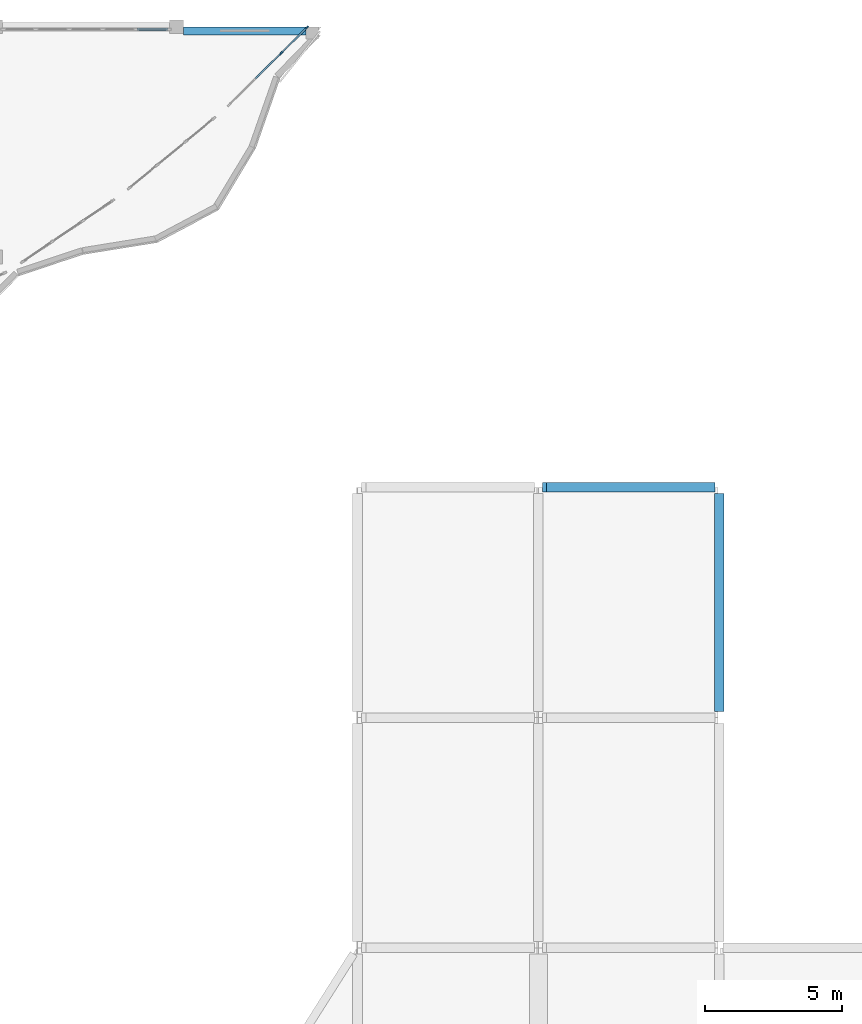
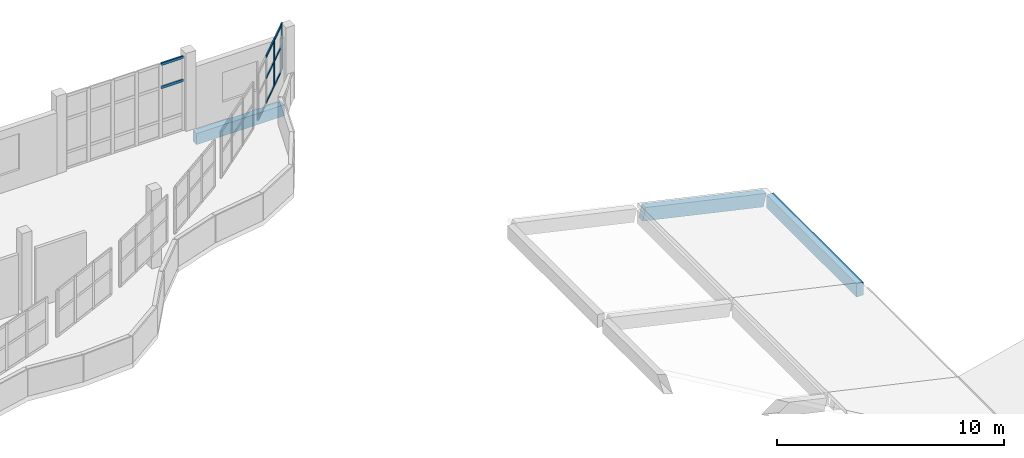
# One storey, part 24 of 47: 10 members, 3 beams, 2 elements without a shape of their own.
"""IFC4 building model written with IfcOpenShell, lengths in metres."""

from ifc_helpers import new_model, si_unit, direction, frame, origin, origin_2d, place, context, subcontext, project, spatial, rectangle, extrude, material, material_profile, profile_set, type_object, element, aggregate, save


model = new_model("IFC4")

# Units and contexts
model_context = context("Model", 3, precision=1e-05, world=origin(), true_north=direction((0.0, 1.0)))
body_context = subcontext(model_context, "Body", "Model", "MODEL_VIEW")
ifc_project = project(units=[si_unit("LENGTHUNIT", "METRE"), si_unit("AREAUNIT", "SQUARE_METRE"), si_unit("VOLUMEUNIT", "CUBIC_METRE"), si_unit("PLANEANGLEUNIT", "RADIAN"), si_unit("MASSUNIT", "GRAM", prefix="KILO")], contexts=[model_context])

# Site, building, storey
site_placement = place(None, origin())
site = spatial("IfcSite", under=ifc_project, at=site_placement, CompositionType="ELEMENT")
building_placement = place(site_placement, origin())
building = spatial("IfcBuilding", under=site, at=building_placement, Name="Qaldarim Faculty of Natural and Applied Sciences", CompositionType="ELEMENT")
storey_placement = place(building_placement, frame((0.0, 0.0, 22.800048828125)))
storey = spatial("IfcBuildingStorey", under=building, at=storey_placement, Name="L05", CompositionType="ELEMENT", Elevation=22.800048828125)

# Curtain wall, members
ifc_material_1 = material(Name="Anodised aluminium AW-6063", Category="aluminium")
curtain_wall_type_1 = type_object("IfcCurtainWallType", Name="CurtainWallSystem-M1400", PredefinedType="USERDEFINED", material=ifc_material_1)
curtain_wall_1_placement = place(storey_placement, origin())
curtain_wall_1 = element("IfcCurtainWall", 1, at=curtain_wall_1_placement, inside=storey, type_object=curtain_wall_type_1, Name="Curtain wall CW-V4ARC-L05-16", ObjectType="STICK CURTAIN WALL", PredefinedType="USERDEFINED")
ifc_material_profile_1 = material_profile(ifc_material_1, rectangle(XDim=0.06005859375, YDim=0.14990234375, at=origin_2d()), Name="ALU-M60x150")
ifc_profile_set_1 = profile_set([ifc_material_profile_1], Name="Anodised aluminium AW-6063")
member_type_1 = type_object("IfcMemberType", Name="Mullion-ALU60x150", PredefinedType="MULLION", material=ifc_profile_set_1)
member_1_placement = place(storey_placement, frame((149.01171875, 116.639892578125, 1.449951171875), z_axis=(0.0, 0.0, 1.0), x_axis=(-0.704014724456, 0.710185375623, 0.0)))
member_1 = element("IfcMember", 2, at=member_1_placement, type_object=member_type_1, Name="Mullion 3 of CW-V4ARC-L05-16", PredefinedType="MULLION", context=body_context, shape_type="SweptSolid", body=[
    extrude(rectangle(XDim=0.06005859375, YDim=0.14990234375, at=origin_2d()), origin(), (0.0, 0.0, 1.0), 2.510009765625),
])
member_2_placement = place(storey_placement, frame((149.94873046875, 117.56884765625, 1.449951171875), z_axis=(0.0, 0.0, 1.0), x_axis=(-0.704014724456, 0.710185375623, 0.0)))
member_2 = element("IfcMember", 3, at=member_2_placement, type_object=member_type_1, Name="Mullion 4 of CW-V4ARC-L05-16", PredefinedType="MULLION", context=body_context, shape_type="SweptSolid", body=[
    extrude(rectangle(XDim=0.06005859375, YDim=0.14990234375, at=origin_2d()), origin(), (0.0, 0.0, 1.0), 2.510009765625),
])

# Beams
ifc_material_2 = material(Name="Concrete C40/50", Category="concrete")
ifc_material_profile_2 = material_profile(ifc_material_2, rectangle(XDim=0.35009765625, YDim=0.699951171875, at=origin_2d()), Name="RC-B350x700")
ifc_profile_set_2 = profile_set([ifc_material_profile_2], Name="Concrete C40/50")
beam_type_1 = type_object("IfcBeamType", Name="PrimaryGirder-RC350x700", PredefinedType="BEAM", material=ifc_profile_set_2)
beam_1_placement = place(storey_placement, frame((158.625, 100.800048828125, 0.89501953125), z_axis=(0.97556619347, 0.0, -0.219705717172), x_axis=(0.0, 1.0, 0.0)))
element("IfcBeam", 4, at=beam_1_placement, inside=storey, type_object=beam_type_1, Name="Commons folded roof rafter X25-X26/Y13", PredefinedType="BEAM", context=body_context, shape_type="SweptSolid", body=[
    extrude(rectangle(XDim=0.35009765625, YDim=0.699951171875, at=origin_2d()), origin(), (0.0, 0.0, 1.0), 6.303955078125),
])
beam_2_placement = place(storey_placement, frame((165.0, 92.625, -0.53515625), z_axis=(0.0, 0.999999207337, -0.001259096751), x_axis=(-1.0, 0.0, 0.0)))
element("IfcBeam", 5, at=beam_2_placement, inside=storey, type_object=beam_type_1, Name="Commons roof ridge/eave beam X26/Y12-Y13", PredefinedType="BEAM", context=body_context, shape_type="SweptSolid", body=[
    extrude(rectangle(XDim=0.35009765625, YDim=0.699951171875, at=origin_2d()), origin(), (0.0, 0.0, 1.0), 7.949951171875),
])
ifc_material_3 = material(Name="Precast concrete C40/50", Category="concrete")
ifc_material_profile_3 = material_profile(ifc_material_3, rectangle(XDim=0.300048828125, YDim=0.60009765625, at=origin_2d()), Name="RC-SP300x600")
ifc_profile_set_3 = profile_set([ifc_material_profile_3], Name="Precast concrete C40/50")
beam_type_2 = type_object("IfcBeamType", Name="SpandrelBeam-RC300x600", PredefinedType="SPANDREL", material=ifc_profile_set_3)
beam_3_placement = place(storey_placement, frame((145.449951171875, 117.449951171875, -0.56005859375), z_axis=(1.0, 0.0, 0.0), x_axis=(0.0, 1.0, 0.0)))
element("IfcBeam", 6, at=beam_3_placement, inside=storey, type_object=beam_type_2, Name="Laboratories NE corner perimeter beam L04", PredefinedType="SPANDREL", context=body_context, shape_type="SweptSolid", body=[
    extrude(rectangle(XDim=0.300048828125, YDim=0.60009765625, at=origin_2d()), origin(), (0.0, 0.0, 1.0), 4.47509765625),
])

# Member
ifc_material_profile_4 = material_profile(ifc_material_1, rectangle(XDim=0.06005859375, YDim=0.1201171875, at=origin_2d()), Name="ALU-T60x120")
ifc_profile_set_4 = profile_set([ifc_material_profile_4], Name="Anodised aluminium AW-6063")
member_type_2 = type_object("IfcMemberType", Name="Transom-ALU60x120", PredefinedType="USERDEFINED", material=ifc_profile_set_4)
member_3_placement = place(storey_placement, frame((148.07470703125, 115.711181640625, 1.47998046875), z_axis=(0.710224032192, 0.703975726923, 0.0), x_axis=(-0.703975726923, 0.710224032192, 0.0)))
member_3 = element("IfcMember", 7, at=member_3_placement, type_object=member_type_2, Name="Transom 2-1 of CW-V4ARC-L05-16", ObjectType="TRANSOM", PredefinedType="USERDEFINED", context=body_context, shape_type="SweptSolid", body=[
    extrude(rectangle(XDim=0.06005859375, YDim=0.1201171875, at=origin_2d()), origin(), (0.0, 0.0, 1.0), 1.289306640625),
])

member_4_placement = place(storey_placement, frame((148.07470703125, 115.711181640625, 2.800048828125), z_axis=(0.710224032192, 0.703975726923, 0.0), x_axis=(-0.703975726923, 0.710224032192, 0.0)))
member_4 = element("IfcMember", 8, at=member_4_placement, type_object=member_type_2, Name="Transom 2-2 of CW-V4ARC-L05-16", ObjectType="TRANSOM", PredefinedType="USERDEFINED", context=body_context, shape_type="SweptSolid", body=[
    extrude(rectangle(XDim=0.06005859375, YDim=0.1201171875, at=origin_2d()), origin(), (0.0, 0.0, 1.0), 1.289306640625),
])

member_5_placement = place(storey_placement, frame((148.07470703125, 115.711181640625, 3.929931640625), z_axis=(0.710224032192, 0.703975726923, 0.0), x_axis=(-0.703975726923, 0.710224032192, 0.0)))
member_5 = element("IfcMember", 9, at=member_5_placement, type_object=member_type_2, Name="Transom 2-3 of CW-V4ARC-L05-16", ObjectType="TRANSOM", PredefinedType="USERDEFINED", context=body_context, shape_type="SweptSolid", body=[
    extrude(rectangle(XDim=0.06005859375, YDim=0.1201171875, at=origin_2d()), origin(), (0.0, 0.0, 1.0), 1.289306640625),
])

member_6_placement = place(storey_placement, frame((149.032958984375, 116.6611328125, 1.47998046875), z_axis=(0.71020129579, 0.703998664386, 0.0), x_axis=(-0.703998664386, 0.71020129579, 0.0)))
member_6 = element("IfcMember", 10, at=member_6_placement, type_object=member_type_2, Name="Transom 3-1 of CW-V4ARC-L05-16", ObjectType="TRANSOM", PredefinedType="USERDEFINED", context=body_context, shape_type="SweptSolid", body=[
    extrude(rectangle(XDim=0.06005859375, YDim=0.1201171875, at=origin_2d()), origin(), (0.0, 0.0, 1.0), 1.259521484375),
])

member_7_placement = place(storey_placement, frame((149.032958984375, 116.6611328125, 2.800048828125), z_axis=(0.71020129579, 0.703998664386, 0.0), x_axis=(-0.703998664386, 0.71020129579, 0.0)))
member_7 = element("IfcMember", 11, at=member_7_placement, type_object=member_type_2, Name="Transom 3-2 of CW-V4ARC-L05-16", ObjectType="TRANSOM", PredefinedType="USERDEFINED", context=body_context, shape_type="SweptSolid", body=[
    extrude(rectangle(XDim=0.06005859375, YDim=0.1201171875, at=origin_2d()), origin(), (0.0, 0.0, 1.0), 1.259521484375),
])

member_8_placement = place(storey_placement, frame((149.032958984375, 116.6611328125, 3.929931640625), z_axis=(0.71020129579, 0.703998664386, 0.0), x_axis=(-0.703998664386, 0.71020129579, 0.0)))
member_8 = element("IfcMember", 12, at=member_8_placement, type_object=member_type_2, Name="Transom 3-3 of CW-V4ARC-L05-16", ObjectType="TRANSOM", PredefinedType="USERDEFINED", context=body_context, shape_type="SweptSolid", body=[
    extrude(rectangle(XDim=0.06005859375, YDim=0.1201171875, at=origin_2d()), origin(), (0.0, 0.0, 1.0), 1.259521484375),
])

aggregate(curtain_wall_1, [member_1, member_2, member_3, member_4, member_5, member_6, member_7, member_8])

# Curtain wall, members
curtain_wall_type_2 = type_object("IfcCurtainWallType", Name="CurtainWallSystem-M1200", PredefinedType="USERDEFINED", material=ifc_material_1)
curtain_wall_2_placement = place(storey_placement, origin())
curtain_wall_2 = element("IfcCurtainWall", 13, at=curtain_wall_2_placement, inside=storey, type_object=curtain_wall_type_2, Name="Curtain wall CW-L05-N-X22Y14", ObjectType="STICK CURTAIN WALL", PredefinedType="USERDEFINED")
ifc_material_profile_5 = material_profile(ifc_material_1, rectangle(XDim=0.070068359375, YDim=0.139892578125, at=origin_2d()), Name="ALU-T70x140")
ifc_profile_set_5 = profile_set([ifc_material_profile_5], Name="Anodised aluminium AW-6063")
member_type_3 = type_object("IfcMemberType", Name="Transom-ALU70x140", PredefinedType="USERDEFINED", material=ifc_profile_set_5)
member_9_placement = place(storey_placement, frame((144.885009765625, 117.52001953125, 2.699951171875), z_axis=(-1.0, 0.0, 0.0), x_axis=(0.0, -1.0, 0.0)))
member_9 = element("IfcMember", 14, at=member_9_placement, type_object=member_type_3, Name="Transom 1-3 of CW-L05-N-X22Y14", ObjectType="TRANSOM", PredefinedType="USERDEFINED", context=body_context, shape_type="SweptSolid", body=[
    extrude(rectangle(XDim=0.070068359375, YDim=0.139892578125, at=origin_2d()), origin(), (0.0, 0.0, 1.0), 1.116943359375),
])
member_10_placement = place(storey_placement, frame((144.885009765625, 117.52001953125, 3.945068359375), z_axis=(-1.0, 0.0, 0.0), x_axis=(0.0, -1.0, 0.0)))
member_10 = element("IfcMember", 15, at=member_10_placement, type_object=member_type_3, Name="Transom 1-4 of CW-L05-N-X22Y14", ObjectType="TRANSOM", PredefinedType="USERDEFINED", context=body_context, shape_type="SweptSolid", body=[
    extrude(rectangle(XDim=0.070068359375, YDim=0.139892578125, at=origin_2d()), origin(), (0.0, 0.0, 1.0), 1.116943359375),
])
aggregate(curtain_wall_2, [member_9, member_10])

save(model, "model.ifc")
